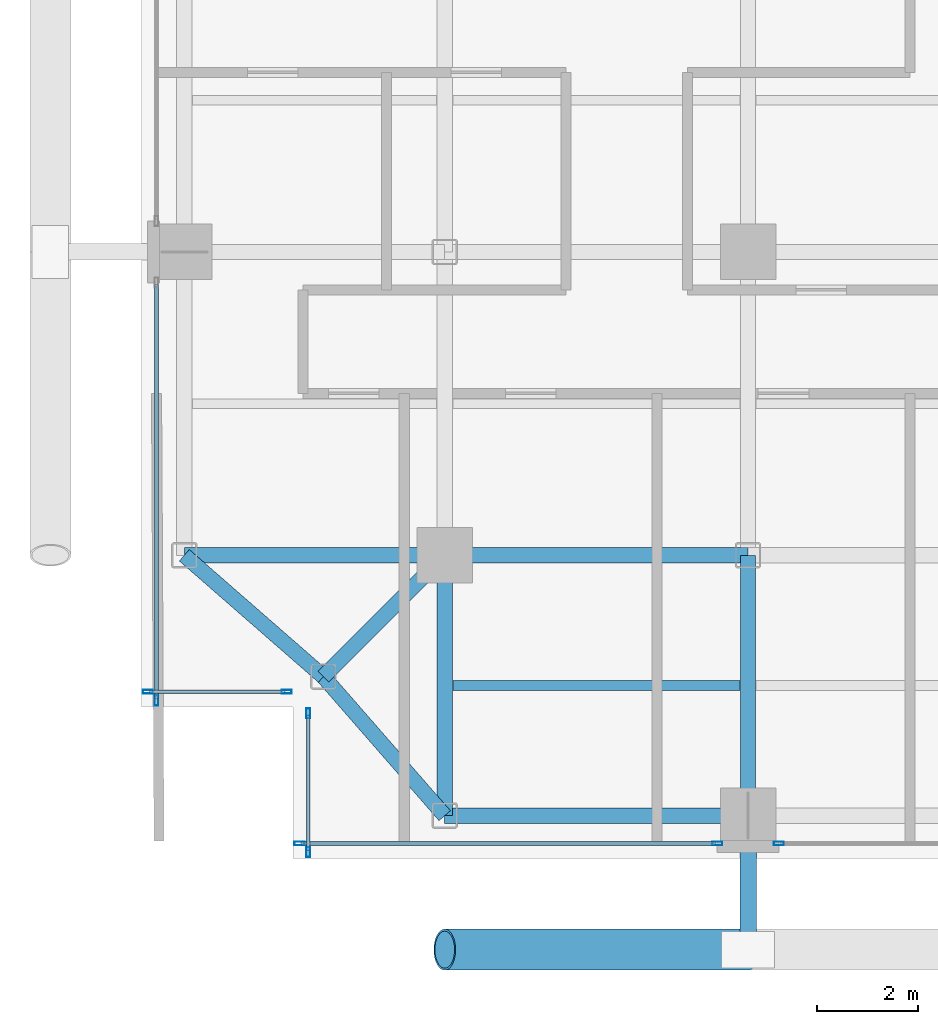
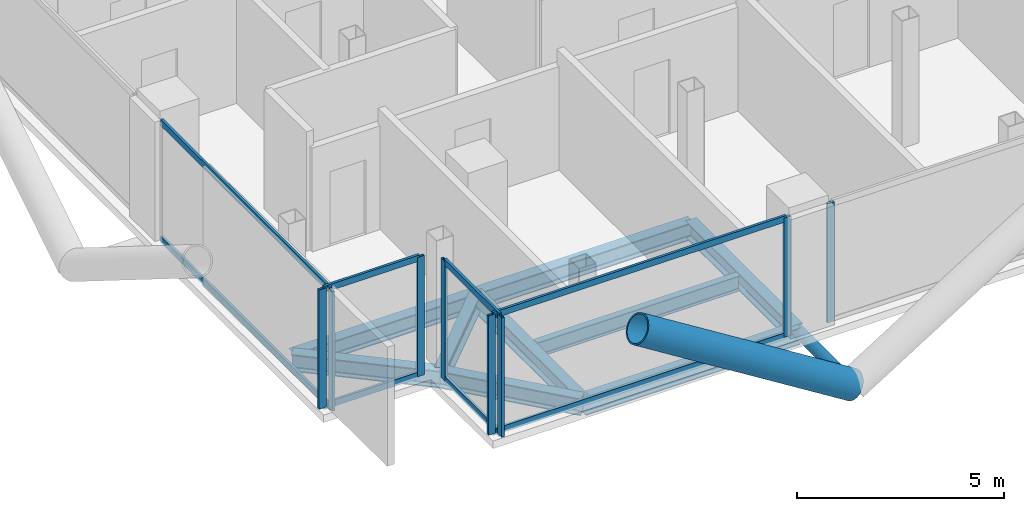
# One storey, part 2 of 28: 18 members, 9 beams, 5 elements without a shape of their own.
"""IFC4 building model written with IfcOpenShell, lengths in metres."""

from ifc_helpers import new_model, si_unit, direction, frame, origin, origin_2d, place, context, subcontext, project, spatial, hollow_rectangle, hollow_circle, i_section, extrude, material, layer, layer_set, material_profile, profile_set, type_object, element, aggregate, save


model = new_model("IFC4")

# Units and contexts
model_context = context("Model", 3, precision=1e-05, world=origin(), true_north=direction((0.0, 1.0)))
body_context = subcontext(model_context, "Body", "Model", "MODEL_VIEW")
ifc_project = project(units=[si_unit("LENGTHUNIT", "METRE"), si_unit("AREAUNIT", "SQUARE_METRE"), si_unit("VOLUMEUNIT", "CUBIC_METRE"), si_unit("PLANEANGLEUNIT", "RADIAN"), si_unit("MASSUNIT", "GRAM", prefix="KILO"), si_unit("THERMODYNAMICTEMPERATUREUNIT", "KELVIN"), si_unit("POWERUNIT", "WATT")], contexts=[model_context])

# Site, building, storey
site_placement = place(None, origin())
site = spatial("IfcSite", under=ifc_project, at=site_placement, CompositionType="ELEMENT")
building_placement = place(site_placement, origin())
building = spatial("IfcBuilding", under=site, at=building_placement, Name="Svarakhadi Broadcast Tower", CompositionType="ELEMENT")
storey_placement = place(building_placement, frame((0.0, 0.0, 123.14990234375)))
storey = spatial("IfcBuildingStorey", under=building, at=storey_placement, Name="L29", CompositionType="ELEMENT", Elevation=123.14990234375)

# Beam
ifc_material_1 = material(Name="Steel S355J2 (IS 2062 E350C)", Category="steel")
ifc_material_profile_1 = material_profile(ifc_material_1, i_section(OverallWidth=0.18994140625, OverallDepth=0.449951171875, WebThickness=0.009521484375, FlangeThickness=0.0146484375, FilletRadius=0.02099609375, at=origin_2d()), Name="NPB 450x190x78")
ifc_profile_set_1 = profile_set([ifc_material_profile_1], Name="Steel S355J2 (IS 2062 E350C)")
beam_type_1 = type_object("IfcBeamType", Name="Beam_NPB450", PredefinedType="BEAM", material=ifc_profile_set_1)
beam_1_placement = place(storey_placement, frame((6.159912109375, 3.425048828125, -0.449951171875), z_axis=(1.0, 0.0, 0.0), x_axis=(0.0, 1.0, 0.0)))
element("IfcBeam", 1, at=beam_1_placement, inside=storey, type_object=beam_type_1, Name="L29 Secondary Composite Beam SB006", PredefinedType="BEAM", context=body_context, shape_type="SweptSolid", body=[
    extrude(i_section(OverallWidth=0.18994140625, OverallDepth=0.449951171875, WebThickness=0.009521484375, FlangeThickness=0.0146484375, FilletRadius=0.02099609375, at=origin_2d()), origin(), (0.0, 0.0, 1.0), 5.68017578125),
])

# Curtain wall, members
ifc_material_2 = material(Name="Anodised Bronze Aluminium AA 6063-T6", Category="aluminium")
ifc_layer = layer(ifc_material_2, 0.199951171875)
ifc_layer_set = layer_set([ifc_layer], Name="Anodised Bronze Aluminium AA 6063-T6")
curtain_wall_type = type_object("IfcCurtainWallType", Name="CW_Sys_03", PredefinedType="NOTDEFINED", material=ifc_layer_set)
curtain_wall_1_placement = place(storey_placement, origin())
curtain_wall_1 = element("IfcCurtainWall", 2, at=curtain_wall_1_placement, inside=storey, type_object=curtain_wall_type, Name="L29 Unitised Facade Curtain Wall 01", PredefinedType="NOTDEFINED")
ifc_material_profile_2 = material_profile(ifc_material_2, hollow_rectangle(XDim=0.074951171875, YDim=0.199951171875, WallThickness=0.005615234375, at=origin_2d()), Name="ALU MULLION 200x75x6")
ifc_profile_set_2 = profile_set([ifc_material_profile_2], Name="Anodised Bronze Aluminium AA 6063-T6")
member_type_1 = type_object("IfcMemberType", Name="CW_Sys_03_Mul", PredefinedType="MULLION", material=ifc_profile_set_2)
member_1_placement = place(storey_placement, frame((2.87255859375, 3.300048828125, 0.0), z_axis=(0.0, 0.0, 1.0), x_axis=(0.0, -1.0, 0.0)))
member_1 = element("IfcMember", 3, at=member_1_placement, type_object=member_type_1, Name="CW-03 mullion 1", PredefinedType="MULLION", context=body_context, shape_type="SweptSolid", body=[
    extrude(hollow_rectangle(XDim=0.074951171875, YDim=0.199951171875, WallThickness=0.005615234375, at=origin_2d()), origin(), (0.0, 0.0, 1.0), 3.525146484375),
])
member_2_placement = place(storey_placement, frame((0.12744140625, 3.300048828125, 0.0), z_axis=(0.0, 0.0, 1.0), x_axis=(0.0, -1.0, 0.0)))
member_2 = element("IfcMember", 4, at=member_2_placement, type_object=member_type_1, Name="CW-03 mullion 2", PredefinedType="MULLION", context=body_context, shape_type="SweptSolid", body=[
    extrude(hollow_rectangle(XDim=0.074951171875, YDim=0.199951171875, WallThickness=0.005615234375, at=origin_2d()), origin(), (0.0, 0.0, 1.0), 3.525146484375),
])

# Curtain wall, member
curtain_wall_2_placement = place(storey_placement, origin())
curtain_wall_2 = element("IfcCurtainWall", 5, at=curtain_wall_2_placement, inside=storey, type_object=curtain_wall_type, Name="L29 West Curtain Wall 02 Bay 1", PredefinedType="NOTDEFINED")
member_3_placement = place(storey_placement, frame((0.300048828125, 3.12744140625, 0.0), z_axis=(0.0, 0.0, 1.0), x_axis=(-1.0, 0.0, 0.0)))
member_3 = element("IfcMember", 6, at=member_3_placement, type_object=member_type_1, Name="CW-03 mullion 1", PredefinedType="MULLION", context=body_context, shape_type="SweptSolid", body=[
    extrude(hollow_rectangle(XDim=0.074951171875, YDim=0.199951171875, WallThickness=0.005615234375, at=origin_2d()), origin(), (0.0, 0.0, 1.0), 3.525146484375),
])

curtain_wall_3_placement = place(storey_placement, origin())
curtain_wall_3 = element("IfcCurtainWall", 7, at=curtain_wall_3_placement, inside=storey, type_object=curtain_wall_type, Name="L29 South Curtain Wall 17 Bay 3", PredefinedType="NOTDEFINED")
member_4_placement = place(storey_placement, frame((12.607421875, 0.300048828125, 0.0), z_axis=(0.0, 0.0, 1.0), x_axis=(0.0, -1.0, 0.0)))
member_4 = element("IfcMember", 8, at=member_4_placement, type_object=member_type_1, Name="CW-03 mullion 2", PredefinedType="MULLION", context=body_context, shape_type="SweptSolid", body=[
    extrude(hollow_rectangle(XDim=0.074951171875, YDim=0.199951171875, WallThickness=0.005615234375, at=origin_2d()), origin(), (0.0, 0.0, 1.0), 3.525146484375),
])
aggregate(curtain_wall_3, [member_4])

# Curtain wall, members
curtain_wall_4_placement = place(storey_placement, origin())
curtain_wall_4 = element("IfcCurtainWall", 9, at=curtain_wall_4_placement, inside=storey, type_object=curtain_wall_type, Name="L29 South Curtain Wall 17 Bay 4", PredefinedType="NOTDEFINED")
member_5_placement = place(storey_placement, frame((11.392578125, 0.300048828125, 0.0), z_axis=(0.0, 0.0, 1.0), x_axis=(0.0, -1.0, 0.0)))
member_5 = element("IfcMember", 10, at=member_5_placement, type_object=member_type_1, Name="CW-03 mullion 1", PredefinedType="MULLION", context=body_context, shape_type="SweptSolid", body=[
    extrude(hollow_rectangle(XDim=0.074951171875, YDim=0.199951171875, WallThickness=0.005615234375, at=origin_2d()), origin(), (0.0, 0.0, 1.0), 3.525146484375),
])
member_6_placement = place(storey_placement, frame((3.12744140625, 0.300048828125, 0.0), z_axis=(0.0, 0.0, 1.0), x_axis=(0.0, -1.0, 0.0)))
member_6 = element("IfcMember", 11, at=member_6_placement, type_object=member_type_1, Name="CW-03 mullion 2", PredefinedType="MULLION", context=body_context, shape_type="SweptSolid", body=[
    extrude(hollow_rectangle(XDim=0.074951171875, YDim=0.199951171875, WallThickness=0.005615234375, at=origin_2d()), origin(), (0.0, 0.0, 1.0), 3.525146484375),
])

curtain_wall_5_placement = place(storey_placement, origin())
curtain_wall_5 = element("IfcCurtainWall", 12, at=curtain_wall_5_placement, inside=storey, type_object=curtain_wall_type, Name="L29 Unitised Facade Curtain Wall 18", PredefinedType="NOTDEFINED")
member_7_placement = place(storey_placement, frame((3.300048828125, 0.12744140625, 0.0), z_axis=(0.0, 0.0, 1.0), x_axis=(-1.0, 0.0, 0.0)))
member_7 = element("IfcMember", 13, at=member_7_placement, type_object=member_type_1, Name="CW-03 mullion 1", PredefinedType="MULLION", context=body_context, shape_type="SweptSolid", body=[
    extrude(hollow_rectangle(XDim=0.074951171875, YDim=0.199951171875, WallThickness=0.005615234375, at=origin_2d()), origin(), (0.0, 0.0, 1.0), 3.525146484375),
])
member_8_placement = place(storey_placement, frame((3.300048828125, 2.87255859375, 0.0), z_axis=(0.0, 0.0, 1.0), x_axis=(-1.0, 0.0, 0.0)))
member_8 = element("IfcMember", 14, at=member_8_placement, type_object=member_type_1, Name="CW-03 mullion 2", PredefinedType="MULLION", context=body_context, shape_type="SweptSolid", body=[
    extrude(hollow_rectangle(XDim=0.074951171875, YDim=0.199951171875, WallThickness=0.005615234375, at=origin_2d()), origin(), (0.0, 0.0, 1.0), 3.525146484375),
])

# Member
ifc_material_profile_3 = material_profile(ifc_material_2, hollow_rectangle(XDim=0.070068359375, YDim=0.18505859375, WallThickness=0.0048828125, at=origin_2d()), Name="ALU TRANSOM 185x70x5")
ifc_profile_set_3 = profile_set([ifc_material_profile_3], Name="Anodised Bronze Aluminium AA 6063-T6")
member_type_2 = type_object("IfcMemberType", Name="CW_Sys_03_Trn", PredefinedType="USERDEFINED", material=ifc_profile_set_3)
member_9_placement = place(storey_placement, frame((2.8349609375, 3.300048828125, 0.03515625), z_axis=(-1.0, 0.0, 0.0), x_axis=(0.0, -1.0, 0.0)))
member_9 = element("IfcMember", 15, at=member_9_placement, type_object=member_type_2, Name="CW-03 transom 1.1", ObjectType="TRANSOM", PredefinedType="USERDEFINED", context=body_context, shape_type="SweptSolid", body=[
    extrude(hollow_rectangle(XDim=0.070068359375, YDim=0.18505859375, WallThickness=0.0048828125, at=origin_2d()), origin(), (0.0, 0.0, 1.0), 2.669921875),
])

member_10_placement = place(storey_placement, frame((2.8349609375, 3.300048828125, 3.489990234375), z_axis=(-1.0, 0.0, 0.0), x_axis=(0.0, -1.0, 0.0)))
member_10 = element("IfcMember", 16, at=member_10_placement, type_object=member_type_2, Name="CW-03 transom 1.2", ObjectType="TRANSOM", PredefinedType="USERDEFINED", context=body_context, shape_type="SweptSolid", body=[
    extrude(hollow_rectangle(XDim=0.070068359375, YDim=0.18505859375, WallThickness=0.0048828125, at=origin_2d()), origin(), (0.0, 0.0, 1.0), 2.669921875),
])

aggregate(curtain_wall_1, [member_1, member_2, member_9, member_10])

member_11_placement = place(storey_placement, frame((0.300048828125, 3.1650390625, 0.03515625), z_axis=(0.0, 1.0, 0.0), x_axis=(-1.0, 0.0, 0.0)))
member_11 = element("IfcMember", 17, at=member_11_placement, type_object=member_type_2, Name="CW-03 transom 1.1", ObjectType="TRANSOM", PredefinedType="USERDEFINED", context=body_context, shape_type="SweptSolid", body=[
    extrude(hollow_rectangle(XDim=0.070068359375, YDim=0.18505859375, WallThickness=0.0048828125, at=origin_2d()), origin(), (0.0, 0.0, 1.0), 8.18994140625),
])

member_12_placement = place(storey_placement, frame((0.300048828125, 3.1650390625, 3.489990234375), z_axis=(0.0, 1.0, 0.0), x_axis=(-1.0, 0.0, 0.0)))
member_12 = element("IfcMember", 18, at=member_12_placement, type_object=member_type_2, Name="CW-03 transom 1.2", ObjectType="TRANSOM", PredefinedType="USERDEFINED", context=body_context, shape_type="SweptSolid", body=[
    extrude(hollow_rectangle(XDim=0.070068359375, YDim=0.18505859375, WallThickness=0.0048828125, at=origin_2d()), origin(), (0.0, 0.0, 1.0), 8.18994140625),
])

aggregate(curtain_wall_2, [member_3, member_11, member_12])

member_13_placement = place(storey_placement, frame((11.35498046875, 0.300048828125, 0.03515625), z_axis=(-1.0, 0.0, 0.0), x_axis=(0.0, -1.0, 0.0)))
member_13 = element("IfcMember", 19, at=member_13_placement, type_object=member_type_2, Name="CW-03 transom 1.1", ObjectType="TRANSOM", PredefinedType="USERDEFINED", context=body_context, shape_type="SweptSolid", body=[
    extrude(hollow_rectangle(XDim=0.070068359375, YDim=0.18505859375, WallThickness=0.0048828125, at=origin_2d()), origin(), (0.0, 0.0, 1.0), 8.18994140625),
])

member_14_placement = place(storey_placement, frame((11.35498046875, 0.300048828125, 3.489990234375), z_axis=(-1.0, 0.0, 0.0), x_axis=(0.0, -1.0, 0.0)))
member_14 = element("IfcMember", 20, at=member_14_placement, type_object=member_type_2, Name="CW-03 transom 1.2", ObjectType="TRANSOM", PredefinedType="USERDEFINED", context=body_context, shape_type="SweptSolid", body=[
    extrude(hollow_rectangle(XDim=0.070068359375, YDim=0.18505859375, WallThickness=0.0048828125, at=origin_2d()), origin(), (0.0, 0.0, 1.0), 8.18994140625),
])

aggregate(curtain_wall_4, [member_5, member_6, member_13, member_14])

member_15_placement = place(storey_placement, frame((3.300048828125, 0.1650390625, 0.03515625), z_axis=(0.0, 1.0, 0.0), x_axis=(-1.0, 0.0, 0.0)))
member_15 = element("IfcMember", 21, at=member_15_placement, type_object=member_type_2, Name="CW-03 transom 1.1", ObjectType="TRANSOM", PredefinedType="USERDEFINED", context=body_context, shape_type="SweptSolid", body=[
    extrude(hollow_rectangle(XDim=0.070068359375, YDim=0.18505859375, WallThickness=0.0048828125, at=origin_2d()), origin(), (0.0, 0.0, 1.0), 2.669921875),
])

member_16_placement = place(storey_placement, frame((3.300048828125, 0.1650390625, 3.489990234375), z_axis=(0.0, 1.0, 0.0), x_axis=(-1.0, 0.0, 0.0)))
member_16 = element("IfcMember", 22, at=member_16_placement, type_object=member_type_2, Name="CW-03 transom 1.2", ObjectType="TRANSOM", PredefinedType="USERDEFINED", context=body_context, shape_type="SweptSolid", body=[
    extrude(hollow_rectangle(XDim=0.070068359375, YDim=0.18505859375, WallThickness=0.0048828125, at=origin_2d()), origin(), (0.0, 0.0, 1.0), 2.669921875),
])

aggregate(curtain_wall_5, [member_7, member_8, member_15, member_16])

# Members
ifc_material_3 = material(Name="Steel S460ML (IS 2062 E450BR)", Category="steel")
ifc_material_profile_4 = material_profile(ifc_material_3, hollow_circle(Radius=0.406494140625, WallThickness=0.0400390625, at=origin_2d()), Name="CHS 813x40")
ifc_profile_set_4 = profile_set([ifc_material_profile_4], Name="Steel S460ML (IS 2062 E450BR)")
member_type_3 = type_object("IfcMemberType", Name="Exo_Brace_CHS813", PredefinedType="BRACE", material=ifc_profile_set_4)
member_17_placement = place(storey_placement, frame((12.0, -1.800048828125, -0.386962890625), z_axis=(-0.847998304005, 0.0, 0.529998940003), x_axis=(0.0, -1.0, 0.0)))
element("IfcMember", 23, at=member_17_placement, inside=storey, type_object=member_type_3, Name="L29 Exposed Bronze Exoskeleton Diagonal S01", PredefinedType="BRACE", context=body_context, shape_type="SweptSolid", body=[
    extrude(hollow_circle(Radius=0.406494140625, WallThickness=0.0400390625, at=origin_2d()), origin(), (0.0, 0.0, 1.0), 7.075439453125),
])
ifc_material_profile_5 = material_profile(ifc_material_3, hollow_circle(Radius=0.161865234375, WallThickness=0.01611328125, at=origin_2d()), Name="CHS 323.9x16")
ifc_profile_set_5 = profile_set([ifc_material_profile_5], Name="Steel S460ML (IS 2062 E450BR)")
member_type_4 = type_object("IfcMemberType", Name="Exo_Radial_Strut_Z2", PredefinedType="STRUT", material=ifc_profile_set_5)
member_18_placement = place(storey_placement, frame((12.0, -1.800048828125, -0.386962890625), z_axis=(0.0, 1.0, 0.0), x_axis=(-1.0, 0.0, 0.0)))
element("IfcMember", 24, at=member_18_placement, inside=storey, type_object=member_type_4, Name="L29 Exoskeleton Radial Tie Strut S01", PredefinedType="STRUT", context=body_context, shape_type="SweptSolid", body=[
    extrude(hollow_circle(Radius=0.161865234375, WallThickness=0.01611328125, at=origin_2d()), origin(), (0.0, 0.0, 1.0), 2.650146484375),
])

# Beams
ifc_material_profile_6 = material_profile(ifc_material_1, i_section(OverallWidth=0.300048828125, OverallDepth=0.5, WebThickness=0.014404296875, FlangeThickness=0.028076171875, FilletRadius=0.027099609375, at=origin_2d()), Name="WPB 500x300x187")
ifc_profile_set_6 = profile_set([ifc_material_profile_6], Name="Steel S355J2 (IS 2062 E350C)")
beam_type_2 = type_object("IfcBeamType", Name="Girder_WPB500", PredefinedType="USERDEFINED", material=ifc_profile_set_6)
beam_2_placement = place(storey_placement, frame((3.60009765625, 3.60009765625, -0.474853515625), z_axis=(0.707106781187, 0.707106781187, 0.0), x_axis=(-0.707106781187, 0.707106781187, 0.0)))
element("IfcBeam", 25, at=beam_2_placement, inside=storey, type_object=beam_type_2, Name="L29 Corner Tie Girder G001", ObjectType="GIRDER", PredefinedType="USERDEFINED", context=body_context, shape_type="SweptSolid", body=[
    extrude(i_section(OverallWidth=0.300048828125, OverallDepth=0.5, WebThickness=0.014404296875, FlangeThickness=0.028076171875, FilletRadius=0.027099609375, at=origin_2d()), origin(), (0.0, 0.0, 1.0), 3.39404296875),
])
for number, where, z_axis, x_axis, name in (
    (26, (3.60009765625, 3.60009765625, -0.474853515625), (-0.753437912176, 0.657519058655, 0.0), (-0.657519058655, -0.753437912176, 0.0), "L29 Corner Tie Girder G002"),
    (27, (3.60009765625, 3.60009765625, -0.474853515625), (0.657519058655, -0.753437912176, 0.0), (0.753437912176, 0.657519058655, 0.0), "L29 Corner Tie Girder G003"),
):
    element("IfcBeam", number, at=place(storey_placement, frame(where, z_axis=z_axis, x_axis=x_axis)), inside=storey, type_object=beam_type_2, Name=name, ObjectType="GIRDER", PredefinedType="USERDEFINED", context=body_context, shape_type="SweptSolid", body=[
        extrude(i_section(OverallWidth=0.300048828125, OverallDepth=0.5, WebThickness=0.014404296875, FlangeThickness=0.028076171875, FilletRadius=0.027099609375, at=origin_2d()), origin(), (0.0, 0.0, 1.0), 3.64990234375),
    ])
beam_3_placement = place(storey_placement, frame((6.0, 0.85009765625, -0.474853515625), z_axis=(1.0, 0.0, 0.0), x_axis=(0.0, 1.0, 0.0)))
element("IfcBeam", 28, at=beam_3_placement, inside=storey, type_object=beam_type_2, Name="L29 Primary E-W Girder G004", ObjectType="GIRDER", PredefinedType="USERDEFINED", context=body_context, shape_type="SweptSolid", body=[
    extrude(i_section(OverallWidth=0.300048828125, OverallDepth=0.5, WebThickness=0.014404296875, FlangeThickness=0.028076171875, FilletRadius=0.027099609375, at=origin_2d()), origin(), (0.0, 0.0, 1.0), 6.0),
])
beam_4_placement = place(storey_placement, frame((0.85009765625, 6.0, -0.474853515625), z_axis=(1.0, 0.0, 0.0), x_axis=(0.0, 1.0, 0.0)))
element("IfcBeam", 29, at=beam_4_placement, inside=storey, type_object=beam_type_2, Name="L29 Primary E-W Girder G010", ObjectType="GIRDER", PredefinedType="USERDEFINED", context=body_context, shape_type="SweptSolid", body=[
    extrude(i_section(OverallWidth=0.300048828125, OverallDepth=0.5, WebThickness=0.014404296875, FlangeThickness=0.028076171875, FilletRadius=0.027099609375, at=origin_2d()), origin(), (0.0, 0.0, 1.0), 5.14990234375),
])
beam_5_placement = place(storey_placement, frame((6.0, 6.0, -0.474853515625), z_axis=(1.0, 0.0, 0.0), x_axis=(0.0, 1.0, 0.0)))
element("IfcBeam", 30, at=beam_5_placement, inside=storey, type_object=beam_type_2, Name="L29 Primary E-W Girder G011", ObjectType="GIRDER", PredefinedType="USERDEFINED", context=body_context, shape_type="SweptSolid", body=[
    extrude(i_section(OverallWidth=0.300048828125, OverallDepth=0.5, WebThickness=0.014404296875, FlangeThickness=0.028076171875, FilletRadius=0.027099609375, at=origin_2d()), origin(), (0.0, 0.0, 1.0), 6.0),
])
for number, where, z_axis, x_axis, name in (
    (31, (6.0, 0.85009765625, -0.474853515625), (0.0, 1.0, 0.0), (-1.0, 0.0, 0.0), "L29 Primary N-S Girder G045"),
    (32, (12.0, 0.85009765625, -0.474853515625), (0.0, 1.0, 0.0), (-1.0, 0.0, 0.0), "L29 Primary N-S Girder G051"),
):
    element("IfcBeam", number, at=place(storey_placement, frame(where, z_axis=z_axis, x_axis=x_axis)), inside=storey, type_object=beam_type_2, Name=name, ObjectType="GIRDER", PredefinedType="USERDEFINED", context=body_context, shape_type="SweptSolid", body=[
        extrude(i_section(OverallWidth=0.300048828125, OverallDepth=0.5, WebThickness=0.014404296875, FlangeThickness=0.028076171875, FilletRadius=0.027099609375, at=origin_2d()), origin(), (0.0, 0.0, 1.0), 5.14990234375),
    ])

save(model, "model.ifc")
